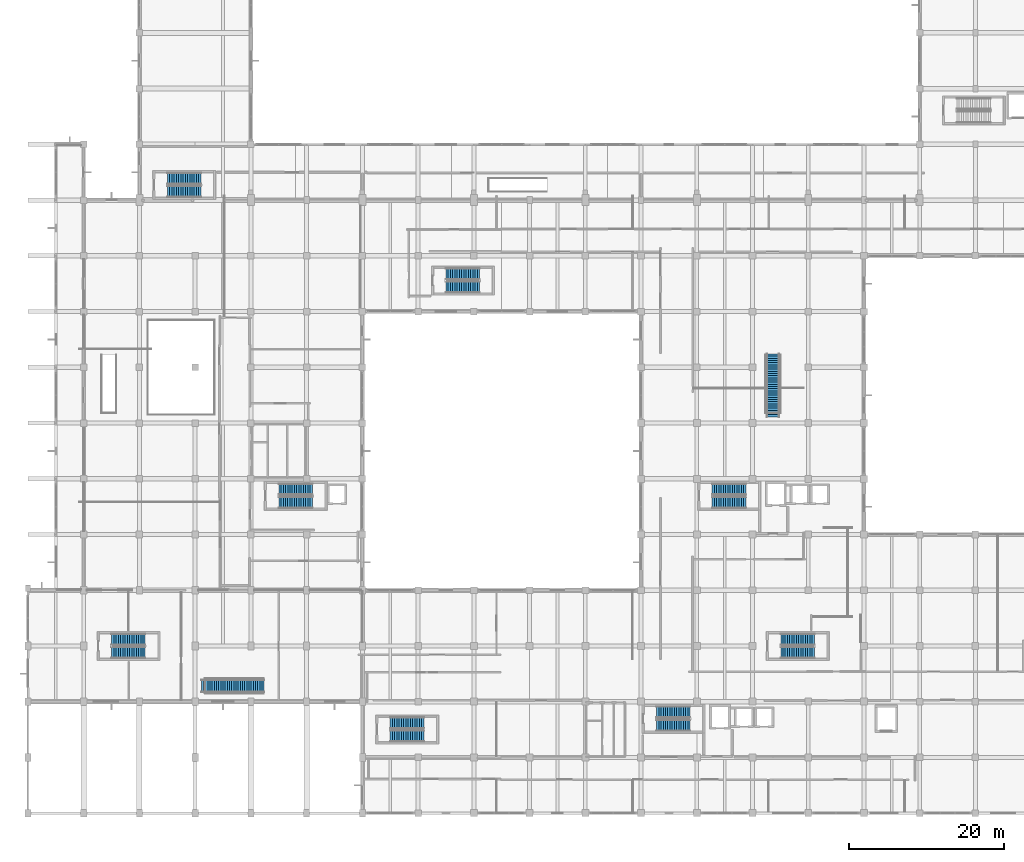
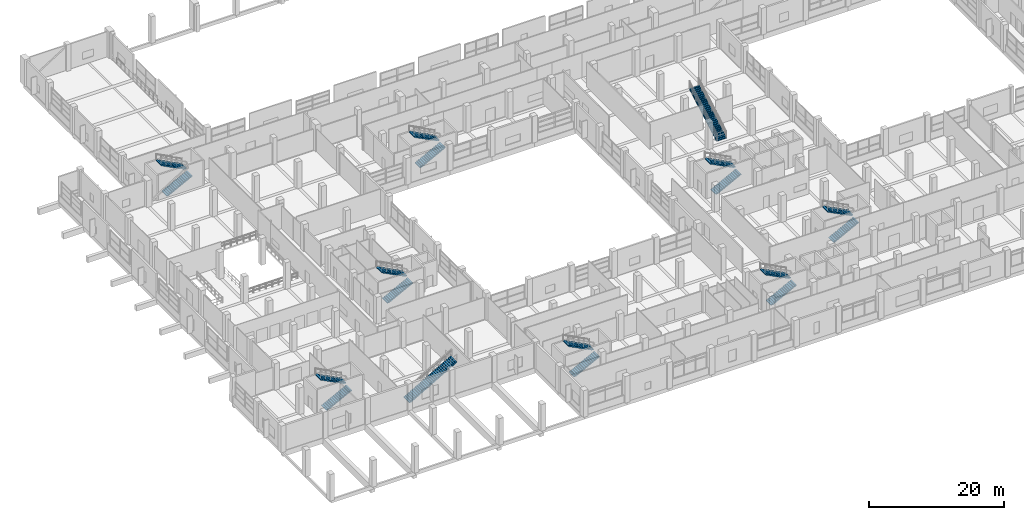
# One storey, part 168 of 181: 18 stair flights, 10 elements without a shape of their own.
"""IFC4 building model written with IfcOpenShell, lengths in metres."""

import ifcopenshell
import ifcopenshell.guid

model = None  # the IFC model being written
_history = None  # IfcOwnerHistory: only IFC2X3 demands one
_inside = {}  # id of a spatial element -> (the spatial element, [elements in it])
_under = {}  # id of a project, library or spatial element -> (it, [spatial elements below it])
_declared = {}  # id of a project -> (the project, [libraries it declares])
_typed = {}  # id of a type object -> (the type object, [elements of that type])
_made_of = {}  # id of a material, layer set ... -> (it, [elements and type objects made of it])


def new_model(schema):
    """Start an empty IFC model of exactly this schema.

    Asked for "IFC4X3", IfcOpenShell would pick the latest addendum, in which some entities
    have other attributes; the version numbers below select the first issue.
    IFC2X3 requires an IfcOwnerHistory on every rooted entity: one is made here for all.
    """
    global model, _history
    if schema == "IFC4X3":
        model = ifcopenshell.file(schema_version=(4, 3, 0, 0))
    else:
        model = ifcopenshell.file(schema=schema)
    _inside.clear()
    _under.clear()
    _declared.clear()
    _typed.clear()
    _made_of.clear()
    _history = None
    if model.schema == "IFC2X3":
        org = make("IfcOrganization", Name="unknown")
        user = make(
            "IfcPersonAndOrganization",
            ThePerson=make("IfcPerson", FamilyName="unknown"),
            TheOrganization=org,
        )
        app = make(
            "IfcApplication",
            ApplicationDeveloper=org,
            Version="unknown",
            ApplicationFullName="unknown",
            ApplicationIdentifier="unknown",
        )
        _history = make(
            "IfcOwnerHistory",
            OwningUser=user,
            OwningApplication=app,
            ChangeAction="ADDED",
            CreationDate=0,
        )
    return model


def make(cls, **values):
    """One entity of the class cls with the attributes given. An attribute that is None is left unset."""
    return model.create_entity(
        cls, **{name: value for name, value in values.items() if value is not None}
    )


def rooted(cls, **values):
    """An entity with a GlobalId (a new one), such as an element, a storey or a relation."""
    return make(cls, GlobalId=ifcopenshell.guid.new(), OwnerHistory=_history, **values)


def si_unit(unit_type, name, prefix=None):
    """IfcSIUnit, for example si_unit("LENGTHUNIT", "METRE", prefix="MILLI")."""
    return make("IfcSIUnit", UnitType=unit_type, Prefix=prefix, Name=name)


def assignment(units):
    """IfcUnitAssignment: the units of a project."""
    return None if units is None else make("IfcUnitAssignment", Units=units)


def point(xyz):
    """IfcCartesianPoint."""
    return None if xyz is None else make("IfcCartesianPoint", Coordinates=xyz)


def direction(xyz):
    """IfcDirection."""
    return None if xyz is None else make("IfcDirection", DirectionRatios=xyz)


def frame(location, z_axis=None, x_axis=None):
    """IfcAxis2Placement3D, a coordinate frame: its origin and axes. An axis left out is left unset."""
    return make(
        "IfcAxis2Placement3D",
        Location=point(location),
        Axis=direction(z_axis),
        RefDirection=direction(x_axis),
    )


def origin():
    """The frame at (0, 0, 0) with its axes left unset."""
    return frame((0.0, 0.0, 0.0))


def place(relative_to, where):
    """IfcLocalPlacement: puts the frame where relative to a parent placement (None: the world)."""
    return make(
        "IfcLocalPlacement", PlacementRelTo=relative_to, RelativePlacement=where
    )


def context(
    kind, dimensions, precision=None, world=None, true_north=None, identifier=None
):
    """IfcGeometricRepresentationContext, for example the 3D "Model" context."""
    return make(
        "IfcGeometricRepresentationContext",
        ContextIdentifier=identifier,
        ContextType=kind,
        CoordinateSpaceDimension=dimensions,
        Precision=precision,
        WorldCoordinateSystem=world,
        TrueNorth=true_north,
    )


def subcontext(parent, identifier, kind, view, scale=None):
    """IfcGeometricRepresentationSubContext, for example "Body" below "Model"."""
    return make(
        "IfcGeometricRepresentationSubContext",
        ContextIdentifier=identifier,
        ContextType=kind,
        ParentContext=parent,
        TargetScale=scale,
        TargetView=view,
    )


def project(units=None, contexts=None):
    """IfcProject with its units and contexts."""
    return rooted(
        "IfcProject",
        Name="project",
        RepresentationContexts=contexts,
        UnitsInContext=assignment(units),
    )


def spatial(cls, under=None, at=None, **own):
    """A site, building, storey or space (cls), placed at a placement, below another one or the project."""
    s = rooted(cls, ObjectPlacement=at, **own)
    if under is not None:
        _under.setdefault(under.id(), (under, []))[1].append(s)
    return s


def polyline(points):
    """IfcPolyline through the points."""
    return make("IfcPolyline", Points=[point(p) for p in points])


def outline(outer, holes=None, kind="AREA"):
    """IfcArbitraryClosedProfileDef: a profile drawn as a closed curve; with holes, ...WithVoids."""
    if holes is None:
        return make("IfcArbitraryClosedProfileDef", ProfileType=kind, OuterCurve=outer)
    return make(
        "IfcArbitraryProfileDefWithVoids",
        ProfileType=kind,
        OuterCurve=outer,
        InnerCurves=holes,
    )


def extrude(swept, where, along, depth):
    """IfcExtrudedAreaSolid: the profile swept, set in the frame where, extruded along a direction by depth."""
    return make(
        "IfcExtrudedAreaSolid",
        SweptArea=swept,
        Position=where,
        ExtrudedDirection=direction(along),
        Depth=depth,
    )


def shape(context_of_items, identifier, shape_type, items):
    """IfcShapeRepresentation: the items that make up one representation, for example the "Body"."""
    return make(
        "IfcShapeRepresentation",
        ContextOfItems=context_of_items,
        RepresentationIdentifier=identifier,
        RepresentationType=shape_type,
        Items=items,
    )


def material(Name=None, Category=None):
    """IfcMaterial."""
    return make("IfcMaterial", Name=Name, Category=Category)


def made_of(thing, what):
    """Note that an element or type object is made of a material, layer set ...; save() writes the relation."""
    if what is not None:
        _made_of.setdefault(what.id(), (what, []))[1].append(thing)
    return thing


def type_object(cls, material=None, **own):
    """A type object (cls), such as IfcWallType, which elements share."""
    return made_of(rooted(cls, **own), material)


def element(
    cls,
    number,
    at=None,
    inside=None,
    cuts=None,
    type_object=None,
    material=None,
    context=None,
    identifier="Body",
    shape_type=None,
    held_by="IfcProductDefinitionShape",
    body=None,
    shapes=None,
    **own,
):
    """One element of the class cls, such as IfcWall. Its Tag is "e" and its number.

    at: its placement. inside: the storey or other place that contains it. cuts: it is an
    opening in that element (IfcRelVoidsElement). A single representation is given by context,
    identifier, shape_type and body (its items); several are given by shapes. held_by: the class
    of the entity that holds the representations. save() writes the other relations.
    """
    e = rooted(cls, Tag="e%d" % number, ObjectPlacement=at, **own)
    if body is not None:
        shapes = [shape(context, identifier, shape_type, body)]
    if shapes is not None:
        e.Representation = make(held_by, Representations=shapes)
    if inside is not None:
        _inside.setdefault(inside.id(), (inside, []))[1].append(e)
    if cuts is not None:
        rooted(
            "IfcRelVoidsElement", RelatingBuildingElement=cuts, RelatedOpeningElement=e
        )
    if type_object is not None:
        _typed.setdefault(type_object.id(), (type_object, []))[1].append(e)
    return made_of(e, material)


def aggregate(whole, parts):
    """IfcRelAggregates: a whole, such as a stair, and the parts it consists of."""
    return rooted("IfcRelAggregates", RelatingObject=whole, RelatedObjects=parts)


def save(model, path):
    """Write the relations noted so far, then the file.

    IfcRelAggregates (storeys below a building ...), IfcRelContainedInSpatialStructure (elements
    in a storey), IfcRelDefinesByType, IfcRelAssociatesMaterial and IfcRelDeclares: one each for
    every whole, place, type object, material and project.
    """
    for whole, parts in _under.values():
        aggregate(whole, parts)
    for where, things in _inside.values():
        rooted(
            "IfcRelContainedInSpatialStructure",
            RelatedElements=things,
            RelatingStructure=where,
        )
    for kind, things in _typed.values():
        rooted("IfcRelDefinesByType", RelatedObjects=things, RelatingType=kind)
    for what, things in _made_of.values():
        rooted("IfcRelAssociatesMaterial", RelatedObjects=things, RelatingMaterial=what)
    for by, libraries in _declared.values():
        rooted("IfcRelDeclares", RelatingContext=by, RelatedDefinitions=libraries)
    model.write(path)


model = new_model("IFC4")

# Units and contexts
model_context = context("Model", 3, precision=1e-05, world=origin(), true_north=direction((0.0, 1.0)))
body_context = subcontext(model_context, "Body", "Model", "MODEL_VIEW")
ifc_project = project(units=[si_unit("LENGTHUNIT", "METRE"), si_unit("AREAUNIT", "SQUARE_METRE"), si_unit("VOLUMEUNIT", "CUBIC_METRE"), si_unit("PLANEANGLEUNIT", "RADIAN"), si_unit("MASSUNIT", "GRAM", prefix="KILO")], contexts=[model_context])

# Site, building, storey
site_placement = place(None, origin())
site = spatial("IfcSite", under=ifc_project, at=site_placement, CompositionType="ELEMENT")
building_placement = place(site_placement, origin())
building = spatial("IfcBuilding", under=site, at=building_placement, Name="Seraya Terrace Polytechnic", CompositionType="ELEMENT")
storey_placement = place(building_placement, frame((0.0, 0.0, 4.800048828125)))
storey = spatial("IfcBuildingStorey", under=building, at=storey_placement, Name="L01", CompositionType="ELEMENT", Elevation=4.800048828125)

# Stair, stair flights
ifc_material = material(Name="Concrete C40/50", Category="concrete")
stair_type_1 = type_object("IfcStairType", Name="ST-T1", PredefinedType="HALF_TURN_STAIR", material=ifc_material)
stair_1_placement = place(storey_placement, origin())
stair_1 = element("IfcStair", 1, at=stair_1_placement, inside=storey, type_object=stair_type_1, Name="L01 Protected exit stair ST-01", PredefinedType="HALF_TURN_STAIR")
stair_flight_type_1 = type_object("IfcStairFlightType", Name="SF-01", PredefinedType="STRAIGHT", material=ifc_material)
stair_flight_1_placement = place(storey_placement, frame((81.199951171875, 11.35009765625, 0.0), z_axis=(0.0, 0.0, 1.0), x_axis=(1.0, 0.0, 0.0)))
stair_flight_1 = element("IfcStairFlight", 2, at=stair_flight_1_placement, type_object=stair_flight_type_1, Name="ST-01 flight 1", NumberOfRisers=16, NumberOfTreads=15, PredefinedType="STRAIGHT", RiserHeight=0.15, TreadLength=0.29, context=body_context, shape_type="SweptSolid", body=[
    extrude(outline(polyline([(0.0, 0.0), (0.0, 0.14990234375), (0.2900390625, 0.14990234375), (0.2900390625, 0.300048828125), (0.580078125, 0.300048828125), (0.580078125, 0.449951171875), (0.8701171875, 0.449951171875), (0.8701171875, 0.60009765625), (1.159912109375, 0.60009765625), (1.159912109375, 0.75), (1.449951171875, 0.75), (1.449951171875, 0.89990234375), (1.739990234375, 0.89990234375), (1.739990234375, 1.050048828125), (2.030029296875, 1.050048828125), (2.030029296875, 1.199951171875), (2.320068359375, 1.199951171875), (2.320068359375, 1.35009765625), (2.610107421875, 1.35009765625), (2.610107421875, 1.5), (2.89990234375, 1.5), (2.89990234375, 1.64990234375), (3.18994140625, 1.64990234375), (3.18994140625, 1.800048828125), (3.47998046875, 1.800048828125), (3.47998046875, 1.949951171875), (3.77001953125, 1.949951171875), (3.77001953125, 2.10009765625), (4.06005859375, 2.10009765625), (4.06005859375, 2.25), (4.35009765625, 2.25), (4.35009765625, 2.39990234375), (4.35009765625, 2.070068359375), (0.34814453125, 0.0), (0.0, 0.0)])), frame((0.0, 0.75, 0.0), z_axis=(0.0, -1.0, 0.0), x_axis=(1.0, 0.0, 0.0)), (0.0, 0.0, 1.0), 1.5),
])
stair_flight_2_placement = place(storey_placement, frame((85.550048828125, 13.050048828125, 2.39990234375), z_axis=(0.0, 0.0, 1.0), x_axis=(-1.0, 0.0, 0.0)))
stair_flight_2 = element("IfcStairFlight", 3, at=stair_flight_2_placement, type_object=stair_flight_type_1, Name="ST-01 flight 2", NumberOfRisers=16, NumberOfTreads=15, PredefinedType="STRAIGHT", RiserHeight=0.15, TreadLength=0.29, context=body_context, shape_type="SweptSolid", body=[
    extrude(outline(polyline([(0.0, 0.0), (0.0, 0.14990234375), (0.2900390625, 0.14990234375), (0.2900390625, 0.300048828125), (0.580078125, 0.300048828125), (0.580078125, 0.449951171875), (0.8701171875, 0.449951171875), (0.8701171875, 0.60009765625), (1.159912109375, 0.60009765625), (1.159912109375, 0.75), (1.449951171875, 0.75), (1.449951171875, 0.89990234375), (1.739990234375, 0.89990234375), (1.739990234375, 1.050048828125), (2.030029296875, 1.050048828125), (2.030029296875, 1.199951171875), (2.320068359375, 1.199951171875), (2.320068359375, 1.35009765625), (2.610107421875, 1.35009765625), (2.610107421875, 1.5), (2.89990234375, 1.5), (2.89990234375, 1.64990234375), (3.18994140625, 1.64990234375), (3.18994140625, 1.800048828125), (3.47998046875, 1.800048828125), (3.47998046875, 1.949951171875), (3.77001953125, 1.949951171875), (3.77001953125, 2.10009765625), (4.06005859375, 2.10009765625), (4.06005859375, 2.25), (4.35009765625, 2.25), (4.35009765625, 2.39990234375), (4.35009765625, 2.070068359375), (0.34814453125, 0.0), (0.0, 0.0)])), frame((0.0, 0.75, 0.0), z_axis=(0.0, -1.0, 0.0), x_axis=(1.0, 0.0, 0.0)), (0.0, 0.0, 1.0), 1.5),
])
aggregate(stair_1, [stair_flight_1, stair_flight_2])

stair_2_placement = place(storey_placement, origin())
stair_2 = element("IfcStair", 4, at=stair_2_placement, inside=storey, type_object=stair_type_1, Name="L01 Protected exit stair ST-02", PredefinedType="HALF_TURN_STAIR")
stair_flight_3_placement = place(storey_placement, frame((88.39990234375, 40.14990234375, 0.0), z_axis=(0.0, 0.0, 1.0), x_axis=(1.0, 0.0, 0.0)))
stair_flight_3 = element("IfcStairFlight", 5, at=stair_flight_3_placement, type_object=stair_flight_type_1, Name="ST-02 flight 1", NumberOfRisers=16, NumberOfTreads=15, PredefinedType="STRAIGHT", RiserHeight=0.15, TreadLength=0.29, context=body_context, shape_type="SweptSolid", body=[
    extrude(outline(polyline([(0.0, 0.0), (0.0, 0.14990234375), (0.2900390625, 0.14990234375), (0.2900390625, 0.300048828125), (0.580078125, 0.300048828125), (0.580078125, 0.449951171875), (0.8701171875, 0.449951171875), (0.8701171875, 0.60009765625), (1.159912109375, 0.60009765625), (1.159912109375, 0.75), (1.449951171875, 0.75), (1.449951171875, 0.89990234375), (1.739990234375, 0.89990234375), (1.739990234375, 1.050048828125), (2.030029296875, 1.050048828125), (2.030029296875, 1.199951171875), (2.320068359375, 1.199951171875), (2.320068359375, 1.35009765625), (2.610107421875, 1.35009765625), (2.610107421875, 1.5), (2.89990234375, 1.5), (2.89990234375, 1.64990234375), (3.18994140625, 1.64990234375), (3.18994140625, 1.800048828125), (3.47998046875, 1.800048828125), (3.47998046875, 1.949951171875), (3.77001953125, 1.949951171875), (3.77001953125, 2.10009765625), (4.06005859375, 2.10009765625), (4.06005859375, 2.25), (4.35009765625, 2.25), (4.35009765625, 2.39990234375), (4.35009765625, 2.070068359375), (0.34814453125, 0.0), (0.0, 0.0)])), frame((0.0, 0.75, 0.0), z_axis=(0.0, -1.0, 0.0), x_axis=(1.0, 0.0, 0.0)), (0.0, 0.0, 1.0), 1.5),
])
stair_flight_4_placement = place(storey_placement, frame((92.75, 41.85009765625, 2.39990234375), z_axis=(0.0, 0.0, 1.0), x_axis=(-1.0, 0.0, 0.0)))
stair_flight_4 = element("IfcStairFlight", 6, at=stair_flight_4_placement, type_object=stair_flight_type_1, Name="ST-02 flight 2", NumberOfRisers=16, NumberOfTreads=15, PredefinedType="STRAIGHT", RiserHeight=0.15, TreadLength=0.29, context=body_context, shape_type="SweptSolid", body=[
    extrude(outline(polyline([(0.0, 0.0), (0.0, 0.14990234375), (0.2900390625, 0.14990234375), (0.2900390625, 0.300048828125), (0.580078125, 0.300048828125), (0.580078125, 0.449951171875), (0.8701171875, 0.449951171875), (0.8701171875, 0.60009765625), (1.159912109375, 0.60009765625), (1.159912109375, 0.75), (1.449951171875, 0.75), (1.449951171875, 0.89990234375), (1.739990234375, 0.89990234375), (1.739990234375, 1.050048828125), (2.030029296875, 1.050048828125), (2.030029296875, 1.199951171875), (2.320068359375, 1.199951171875), (2.320068359375, 1.35009765625), (2.610107421875, 1.35009765625), (2.610107421875, 1.5), (2.89990234375, 1.5), (2.89990234375, 1.64990234375), (3.18994140625, 1.64990234375), (3.18994140625, 1.800048828125), (3.47998046875, 1.800048828125), (3.47998046875, 1.949951171875), (3.77001953125, 1.949951171875), (3.77001953125, 2.10009765625), (4.06005859375, 2.10009765625), (4.06005859375, 2.25), (4.35009765625, 2.25), (4.35009765625, 2.39990234375), (4.35009765625, 2.070068359375), (0.34814453125, 0.0), (0.0, 0.0)])), frame((0.0, 0.75, 0.0), z_axis=(0.0, -1.0, 0.0), x_axis=(1.0, 0.0, 0.0)), (0.0, 0.0, 1.0), 1.5),
])
aggregate(stair_2, [stair_flight_3, stair_flight_4])

stair_3_placement = place(storey_placement, origin())
stair_3 = element("IfcStair", 7, at=stair_3_placement, inside=storey, type_object=stair_type_1, Name="L01 Protected exit stair ST-03", PredefinedType="HALF_TURN_STAIR")
stair_flight_5_placement = place(storey_placement, frame((46.800048828125, 9.949951171875, 0.0), z_axis=(0.0, 0.0, 1.0), x_axis=(1.0, 0.0, 0.0)))
stair_flight_5 = element("IfcStairFlight", 8, at=stair_flight_5_placement, type_object=stair_flight_type_1, Name="ST-03 flight 1", NumberOfRisers=16, NumberOfTreads=15, PredefinedType="STRAIGHT", RiserHeight=0.15, TreadLength=0.29, context=body_context, shape_type="SweptSolid", body=[
    extrude(outline(polyline([(0.0, 0.0), (0.0, 0.14990234375), (0.2900390625, 0.14990234375), (0.2900390625, 0.300048828125), (0.580078125, 0.300048828125), (0.580078125, 0.449951171875), (0.8701171875, 0.449951171875), (0.8701171875, 0.60009765625), (1.159912109375, 0.60009765625), (1.159912109375, 0.75), (1.449951171875, 0.75), (1.449951171875, 0.89990234375), (1.739990234375, 0.89990234375), (1.739990234375, 1.050048828125), (2.030029296875, 1.050048828125), (2.030029296875, 1.199951171875), (2.320068359375, 1.199951171875), (2.320068359375, 1.35009765625), (2.610107421875, 1.35009765625), (2.610107421875, 1.5), (2.89990234375, 1.5), (2.89990234375, 1.64990234375), (3.18994140625, 1.64990234375), (3.18994140625, 1.800048828125), (3.47998046875, 1.800048828125), (3.47998046875, 1.949951171875), (3.77001953125, 1.949951171875), (3.77001953125, 2.10009765625), (4.06005859375, 2.10009765625), (4.06005859375, 2.25), (4.35009765625, 2.25), (4.35009765625, 2.39990234375), (4.35009765625, 2.070068359375), (0.34814453125, 0.0), (0.0, 0.0)])), frame((0.0, 0.75, 0.0), z_axis=(0.0, -1.0, 0.0), x_axis=(1.0, 0.0, 0.0)), (0.0, 0.0, 1.0), 1.5),
])
stair_flight_6_placement = place(storey_placement, frame((51.14990234375, 11.64990234375, 2.39990234375), z_axis=(0.0, 0.0, 1.0), x_axis=(-1.0, 0.0, 0.0)))
stair_flight_6 = element("IfcStairFlight", 9, at=stair_flight_6_placement, type_object=stair_flight_type_1, Name="ST-03 flight 2", NumberOfRisers=16, NumberOfTreads=15, PredefinedType="STRAIGHT", RiserHeight=0.15, TreadLength=0.29, context=body_context, shape_type="SweptSolid", body=[
    extrude(outline(polyline([(0.0, 0.0), (0.0, 0.14990234375), (0.2900390625, 0.14990234375), (0.2900390625, 0.300048828125), (0.580078125, 0.300048828125), (0.580078125, 0.449951171875), (0.8701171875, 0.449951171875), (0.8701171875, 0.60009765625), (1.159912109375, 0.60009765625), (1.159912109375, 0.75), (1.449951171875, 0.75), (1.449951171875, 0.89990234375), (1.739990234375, 0.89990234375), (1.739990234375, 1.050048828125), (2.030029296875, 1.050048828125), (2.030029296875, 1.199951171875), (2.320068359375, 1.199951171875), (2.320068359375, 1.35009765625), (2.610107421875, 1.35009765625), (2.610107421875, 1.5), (2.89990234375, 1.5), (2.89990234375, 1.64990234375), (3.18994140625, 1.64990234375), (3.18994140625, 1.800048828125), (3.47998046875, 1.800048828125), (3.47998046875, 1.949951171875), (3.77001953125, 1.949951171875), (3.77001953125, 2.10009765625), (4.06005859375, 2.10009765625), (4.06005859375, 2.25), (4.35009765625, 2.25), (4.35009765625, 2.39990234375), (4.35009765625, 2.070068359375), (0.34814453125, 0.0), (0.0, 0.0)])), frame((0.0, 0.75, 0.0), z_axis=(0.0, -1.0, 0.0), x_axis=(1.0, 0.0, 0.0)), (0.0, 0.0, 1.0), 1.5),
])
aggregate(stair_3, [stair_flight_5, stair_flight_6])

stair_4_placement = place(storey_placement, origin())
stair_4 = element("IfcStair", 10, at=stair_4_placement, inside=storey, type_object=stair_type_1, Name="L01 Protected exit stair ST-04", PredefinedType="HALF_TURN_STAIR")
stair_flight_7_placement = place(storey_placement, frame((32.39990234375, 40.14990234375, 0.0), z_axis=(0.0, 0.0, 1.0), x_axis=(1.0, 0.0, 0.0)))
stair_flight_7 = element("IfcStairFlight", 11, at=stair_flight_7_placement, type_object=stair_flight_type_1, Name="ST-04 flight 1", NumberOfRisers=16, NumberOfTreads=15, PredefinedType="STRAIGHT", RiserHeight=0.15, TreadLength=0.29, context=body_context, shape_type="SweptSolid", body=[
    extrude(outline(polyline([(0.0, 0.0), (0.0, 0.14990234375), (0.2900390625, 0.14990234375), (0.2900390625, 0.300048828125), (0.580078125, 0.300048828125), (0.580078125, 0.449951171875), (0.8701171875, 0.449951171875), (0.8701171875, 0.60009765625), (1.159912109375, 0.60009765625), (1.159912109375, 0.75), (1.449951171875, 0.75), (1.449951171875, 0.89990234375), (1.739990234375, 0.89990234375), (1.739990234375, 1.050048828125), (2.030029296875, 1.050048828125), (2.030029296875, 1.199951171875), (2.320068359375, 1.199951171875), (2.320068359375, 1.35009765625), (2.610107421875, 1.35009765625), (2.610107421875, 1.5), (2.89990234375, 1.5), (2.89990234375, 1.64990234375), (3.18994140625, 1.64990234375), (3.18994140625, 1.800048828125), (3.47998046875, 1.800048828125), (3.47998046875, 1.949951171875), (3.77001953125, 1.949951171875), (3.77001953125, 2.10009765625), (4.06005859375, 2.10009765625), (4.06005859375, 2.25), (4.35009765625, 2.25), (4.35009765625, 2.39990234375), (4.35009765625, 2.070068359375), (0.34814453125, 0.0), (0.0, 0.0)])), frame((0.0, 0.75, 0.0), z_axis=(0.0, -1.0, 0.0), x_axis=(1.0, 0.0, 0.0)), (0.0, 0.0, 1.0), 1.5),
])
stair_flight_8_placement = place(storey_placement, frame((36.75, 41.85009765625, 2.39990234375), z_axis=(0.0, 0.0, 1.0), x_axis=(-1.0, 0.0, 0.0)))
stair_flight_8 = element("IfcStairFlight", 12, at=stair_flight_8_placement, type_object=stair_flight_type_1, Name="ST-04 flight 2", NumberOfRisers=16, NumberOfTreads=15, PredefinedType="STRAIGHT", RiserHeight=0.15, TreadLength=0.29, context=body_context, shape_type="SweptSolid", body=[
    extrude(outline(polyline([(0.0, 0.0), (0.0, 0.14990234375), (0.2900390625, 0.14990234375), (0.2900390625, 0.300048828125), (0.580078125, 0.300048828125), (0.580078125, 0.449951171875), (0.8701171875, 0.449951171875), (0.8701171875, 0.60009765625), (1.159912109375, 0.60009765625), (1.159912109375, 0.75), (1.449951171875, 0.75), (1.449951171875, 0.89990234375), (1.739990234375, 0.89990234375), (1.739990234375, 1.050048828125), (2.030029296875, 1.050048828125), (2.030029296875, 1.199951171875), (2.320068359375, 1.199951171875), (2.320068359375, 1.35009765625), (2.610107421875, 1.35009765625), (2.610107421875, 1.5), (2.89990234375, 1.5), (2.89990234375, 1.64990234375), (3.18994140625, 1.64990234375), (3.18994140625, 1.800048828125), (3.47998046875, 1.800048828125), (3.47998046875, 1.949951171875), (3.77001953125, 1.949951171875), (3.77001953125, 2.10009765625), (4.06005859375, 2.10009765625), (4.06005859375, 2.25), (4.35009765625, 2.25), (4.35009765625, 2.39990234375), (4.35009765625, 2.070068359375), (0.34814453125, 0.0), (0.0, 0.0)])), frame((0.0, 0.75, 0.0), z_axis=(0.0, -1.0, 0.0), x_axis=(1.0, 0.0, 0.0)), (0.0, 0.0, 1.0), 1.5),
])
aggregate(stair_4, [stair_flight_7, stair_flight_8])

stair_5_placement = place(storey_placement, origin())
stair_5 = element("IfcStair", 13, at=stair_5_placement, inside=storey, type_object=stair_type_1, Name="L01 Protected exit stair ST-05", PredefinedType="HALF_TURN_STAIR")
stair_flight_9_placement = place(storey_placement, frame((97.25, 20.75, 0.0), z_axis=(0.0, 0.0, 1.0), x_axis=(1.0, 0.0, 0.0)))
stair_flight_9 = element("IfcStairFlight", 14, at=stair_flight_9_placement, type_object=stair_flight_type_1, Name="ST-05 flight 1", NumberOfRisers=16, NumberOfTreads=15, PredefinedType="STRAIGHT", RiserHeight=0.15, TreadLength=0.29, context=body_context, shape_type="SweptSolid", body=[
    extrude(outline(polyline([(0.0, 0.0), (0.0, 0.14990234375), (0.2900390625, 0.14990234375), (0.2900390625, 0.300048828125), (0.580078125, 0.300048828125), (0.580078125, 0.449951171875), (0.8701171875, 0.449951171875), (0.8701171875, 0.60009765625), (1.159912109375, 0.60009765625), (1.159912109375, 0.75), (1.449951171875, 0.75), (1.449951171875, 0.89990234375), (1.739990234375, 0.89990234375), (1.739990234375, 1.050048828125), (2.030029296875, 1.050048828125), (2.030029296875, 1.199951171875), (2.320068359375, 1.199951171875), (2.320068359375, 1.35009765625), (2.610107421875, 1.35009765625), (2.610107421875, 1.5), (2.89990234375, 1.5), (2.89990234375, 1.64990234375), (3.18994140625, 1.64990234375), (3.18994140625, 1.800048828125), (3.47998046875, 1.800048828125), (3.47998046875, 1.949951171875), (3.77001953125, 1.949951171875), (3.77001953125, 2.10009765625), (4.06005859375, 2.10009765625), (4.06005859375, 2.25), (4.35009765625, 2.25), (4.35009765625, 2.39990234375), (4.35009765625, 2.070068359375), (0.34814453125, 0.0), (0.0, 0.0)])), frame((0.0, 0.75, 0.0), z_axis=(0.0, -1.0, 0.0), x_axis=(1.0, 0.0, 0.0)), (0.0, 0.0, 1.0), 1.5),
])
stair_flight_10_placement = place(storey_placement, frame((101.60009765625, 22.449951171875, 2.39990234375), z_axis=(0.0, 0.0, 1.0), x_axis=(-1.0, 0.0, 0.0)))
stair_flight_10 = element("IfcStairFlight", 15, at=stair_flight_10_placement, type_object=stair_flight_type_1, Name="ST-05 flight 2", NumberOfRisers=16, NumberOfTreads=15, PredefinedType="STRAIGHT", RiserHeight=0.15, TreadLength=0.29, context=body_context, shape_type="SweptSolid", body=[
    extrude(outline(polyline([(0.0, 0.0), (0.0, 0.14990234375), (0.2900390625, 0.14990234375), (0.2900390625, 0.300048828125), (0.580078125, 0.300048828125), (0.580078125, 0.449951171875), (0.8701171875, 0.449951171875), (0.8701171875, 0.60009765625), (1.159912109375, 0.60009765625), (1.159912109375, 0.75), (1.449951171875, 0.75), (1.449951171875, 0.89990234375), (1.739990234375, 0.89990234375), (1.739990234375, 1.050048828125), (2.030029296875, 1.050048828125), (2.030029296875, 1.199951171875), (2.320068359375, 1.199951171875), (2.320068359375, 1.35009765625), (2.610107421875, 1.35009765625), (2.610107421875, 1.5), (2.89990234375, 1.5), (2.89990234375, 1.64990234375), (3.18994140625, 1.64990234375), (3.18994140625, 1.800048828125), (3.47998046875, 1.800048828125), (3.47998046875, 1.949951171875), (3.77001953125, 1.949951171875), (3.77001953125, 2.10009765625), (4.06005859375, 2.10009765625), (4.06005859375, 2.25), (4.35009765625, 2.25), (4.35009765625, 2.39990234375), (4.35009765625, 2.070068359375), (0.34814453125, 0.0), (0.0, 0.0)])), frame((0.0, 0.75, 0.0), z_axis=(0.0, -1.0, 0.0), x_axis=(1.0, 0.0, 0.0)), (0.0, 0.0, 1.0), 1.5),
])
aggregate(stair_5, [stair_flight_9, stair_flight_10])

stair_6_placement = place(storey_placement, origin())
stair_6 = element("IfcStair", 16, at=stair_6_placement, inside=storey, type_object=stair_type_1, Name="L01 Protected exit stair ST-06", PredefinedType="HALF_TURN_STAIR")
stair_flight_11_placement = place(storey_placement, frame((54.0, 67.949951171875, 0.0), z_axis=(0.0, 0.0, 1.0), x_axis=(1.0, 0.0, 0.0)))
stair_flight_11 = element("IfcStairFlight", 17, at=stair_flight_11_placement, type_object=stair_flight_type_1, Name="ST-06 flight 1", NumberOfRisers=16, NumberOfTreads=15, PredefinedType="STRAIGHT", RiserHeight=0.15, TreadLength=0.29, context=body_context, shape_type="SweptSolid", body=[
    extrude(outline(polyline([(0.0, 0.0), (0.0, 0.14990234375), (0.2900390625, 0.14990234375), (0.2900390625, 0.300048828125), (0.580078125, 0.300048828125), (0.580078125, 0.449951171875), (0.8701171875, 0.449951171875), (0.8701171875, 0.60009765625), (1.159912109375, 0.60009765625), (1.159912109375, 0.75), (1.449951171875, 0.75), (1.449951171875, 0.89990234375), (1.739990234375, 0.89990234375), (1.739990234375, 1.050048828125), (2.030029296875, 1.050048828125), (2.030029296875, 1.199951171875), (2.320068359375, 1.199951171875), (2.320068359375, 1.35009765625), (2.610107421875, 1.35009765625), (2.610107421875, 1.5), (2.89990234375, 1.5), (2.89990234375, 1.64990234375), (3.18994140625, 1.64990234375), (3.18994140625, 1.800048828125), (3.47998046875, 1.800048828125), (3.47998046875, 1.949951171875), (3.77001953125, 1.949951171875), (3.77001953125, 2.10009765625), (4.06005859375, 2.10009765625), (4.06005859375, 2.25), (4.35009765625, 2.25), (4.35009765625, 2.39990234375), (4.35009765625, 2.070068359375), (0.34814453125, 0.0), (0.0, 0.0)])), frame((0.0, 0.75, 0.0), z_axis=(0.0, -1.0, 0.0), x_axis=(1.0, 0.0, 0.0)), (0.0, 0.0, 1.0), 1.5),
])
stair_flight_12_placement = place(storey_placement, frame((58.35009765625, 69.64990234375, 2.39990234375), z_axis=(0.0, 0.0, 1.0), x_axis=(-1.0, 0.0, 0.0)))
stair_flight_12 = element("IfcStairFlight", 18, at=stair_flight_12_placement, type_object=stair_flight_type_1, Name="ST-06 flight 2", NumberOfRisers=16, NumberOfTreads=15, PredefinedType="STRAIGHT", RiserHeight=0.15, TreadLength=0.29, context=body_context, shape_type="SweptSolid", body=[
    extrude(outline(polyline([(0.0, 0.0), (0.0, 0.14990234375), (0.2900390625, 0.14990234375), (0.2900390625, 0.300048828125), (0.580078125, 0.300048828125), (0.580078125, 0.449951171875), (0.8701171875, 0.449951171875), (0.8701171875, 0.60009765625), (1.159912109375, 0.60009765625), (1.159912109375, 0.75), (1.449951171875, 0.75), (1.449951171875, 0.89990234375), (1.739990234375, 0.89990234375), (1.739990234375, 1.050048828125), (2.030029296875, 1.050048828125), (2.030029296875, 1.199951171875), (2.320068359375, 1.199951171875), (2.320068359375, 1.35009765625), (2.610107421875, 1.35009765625), (2.610107421875, 1.5), (2.89990234375, 1.5), (2.89990234375, 1.64990234375), (3.18994140625, 1.64990234375), (3.18994140625, 1.800048828125), (3.47998046875, 1.800048828125), (3.47998046875, 1.949951171875), (3.77001953125, 1.949951171875), (3.77001953125, 2.10009765625), (4.06005859375, 2.10009765625), (4.06005859375, 2.25), (4.35009765625, 2.25), (4.35009765625, 2.39990234375), (4.35009765625, 2.070068359375), (0.34814453125, 0.0), (0.0, 0.0)])), frame((0.0, 0.75, 0.0), z_axis=(0.0, -1.0, 0.0), x_axis=(1.0, 0.0, 0.0)), (0.0, 0.0, 1.0), 1.5),
])
aggregate(stair_6, [stair_flight_11, stair_flight_12])

stair_7_placement = place(storey_placement, origin())
stair_7 = element("IfcStair", 19, at=stair_7_placement, inside=storey, type_object=stair_type_1, Name="L01 Protected exit stair ST-07", PredefinedType="HALF_TURN_STAIR")
stair_flight_13_placement = place(storey_placement, frame((18.0, 80.300048828125, 0.0), z_axis=(0.0, 0.0, 1.0), x_axis=(1.0, 0.0, 0.0)))
stair_flight_13 = element("IfcStairFlight", 20, at=stair_flight_13_placement, type_object=stair_flight_type_1, Name="ST-07 flight 1", NumberOfRisers=16, NumberOfTreads=15, PredefinedType="STRAIGHT", RiserHeight=0.15, TreadLength=0.29, context=body_context, shape_type="SweptSolid", body=[
    extrude(outline(polyline([(0.0, 0.0), (0.0, 0.14990234375), (0.2900390625, 0.14990234375), (0.2900390625, 0.300048828125), (0.580078125, 0.300048828125), (0.580078125, 0.449951171875), (0.8701171875, 0.449951171875), (0.8701171875, 0.60009765625), (1.159912109375, 0.60009765625), (1.159912109375, 0.75), (1.449951171875, 0.75), (1.449951171875, 0.89990234375), (1.739990234375, 0.89990234375), (1.739990234375, 1.050048828125), (2.030029296875, 1.050048828125), (2.030029296875, 1.199951171875), (2.320068359375, 1.199951171875), (2.320068359375, 1.35009765625), (2.610107421875, 1.35009765625), (2.610107421875, 1.5), (2.89990234375, 1.5), (2.89990234375, 1.64990234375), (3.18994140625, 1.64990234375), (3.18994140625, 1.800048828125), (3.47998046875, 1.800048828125), (3.47998046875, 1.949951171875), (3.77001953125, 1.949951171875), (3.77001953125, 2.10009765625), (4.06005859375, 2.10009765625), (4.06005859375, 2.25), (4.35009765625, 2.25), (4.35009765625, 2.39990234375), (4.35009765625, 2.070068359375), (0.34814453125, 0.0), (0.0, 0.0)])), frame((0.0, 0.75, 0.0), z_axis=(0.0, -1.0, 0.0), x_axis=(1.0, 0.0, 0.0)), (0.0, 0.0, 1.0), 1.5),
])
stair_flight_14_placement = place(storey_placement, frame((22.35009765625, 82.0, 2.39990234375), z_axis=(0.0, 0.0, 1.0), x_axis=(-1.0, 0.0, 0.0)))
stair_flight_14 = element("IfcStairFlight", 21, at=stair_flight_14_placement, type_object=stair_flight_type_1, Name="ST-07 flight 2", NumberOfRisers=16, NumberOfTreads=15, PredefinedType="STRAIGHT", RiserHeight=0.15, TreadLength=0.29, context=body_context, shape_type="SweptSolid", body=[
    extrude(outline(polyline([(0.0, 0.0), (0.0, 0.14990234375), (0.2900390625, 0.14990234375), (0.2900390625, 0.300048828125), (0.580078125, 0.300048828125), (0.580078125, 0.449951171875), (0.8701171875, 0.449951171875), (0.8701171875, 0.60009765625), (1.159912109375, 0.60009765625), (1.159912109375, 0.75), (1.449951171875, 0.75), (1.449951171875, 0.89990234375), (1.739990234375, 0.89990234375), (1.739990234375, 1.050048828125), (2.030029296875, 1.050048828125), (2.030029296875, 1.199951171875), (2.320068359375, 1.199951171875), (2.320068359375, 1.35009765625), (2.610107421875, 1.35009765625), (2.610107421875, 1.5), (2.89990234375, 1.5), (2.89990234375, 1.64990234375), (3.18994140625, 1.64990234375), (3.18994140625, 1.800048828125), (3.47998046875, 1.800048828125), (3.47998046875, 1.949951171875), (3.77001953125, 1.949951171875), (3.77001953125, 2.10009765625), (4.06005859375, 2.10009765625), (4.06005859375, 2.25), (4.35009765625, 2.25), (4.35009765625, 2.39990234375), (4.35009765625, 2.070068359375), (0.34814453125, 0.0), (0.0, 0.0)])), frame((0.0, 0.75, 0.0), z_axis=(0.0, -1.0, 0.0), x_axis=(1.0, 0.0, 0.0)), (0.0, 0.0, 1.0), 1.5),
])
aggregate(stair_7, [stair_flight_13, stair_flight_14])

stair_8_placement = place(storey_placement, origin())
stair_8 = element("IfcStair", 22, at=stair_8_placement, inside=storey, type_object=stair_type_1, Name="L01 Protected exit stair ST-09", PredefinedType="HALF_TURN_STAIR")
stair_flight_15_placement = place(storey_placement, frame((10.800048828125, 20.75, 0.0), z_axis=(0.0, 0.0, 1.0), x_axis=(1.0, 0.0, 0.0)))
stair_flight_15 = element("IfcStairFlight", 23, at=stair_flight_15_placement, type_object=stair_flight_type_1, Name="ST-09 flight 1", NumberOfRisers=16, NumberOfTreads=15, PredefinedType="STRAIGHT", RiserHeight=0.15, TreadLength=0.29, context=body_context, shape_type="SweptSolid", body=[
    extrude(outline(polyline([(0.0, 0.0), (0.0, 0.14990234375), (0.2900390625, 0.14990234375), (0.2900390625, 0.300048828125), (0.580078125, 0.300048828125), (0.580078125, 0.449951171875), (0.8701171875, 0.449951171875), (0.8701171875, 0.60009765625), (1.159912109375, 0.60009765625), (1.159912109375, 0.75), (1.449951171875, 0.75), (1.449951171875, 0.89990234375), (1.739990234375, 0.89990234375), (1.739990234375, 1.050048828125), (2.030029296875, 1.050048828125), (2.030029296875, 1.199951171875), (2.320068359375, 1.199951171875), (2.320068359375, 1.35009765625), (2.610107421875, 1.35009765625), (2.610107421875, 1.5), (2.89990234375, 1.5), (2.89990234375, 1.64990234375), (3.18994140625, 1.64990234375), (3.18994140625, 1.800048828125), (3.47998046875, 1.800048828125), (3.47998046875, 1.949951171875), (3.77001953125, 1.949951171875), (3.77001953125, 2.10009765625), (4.06005859375, 2.10009765625), (4.06005859375, 2.25), (4.35009765625, 2.25), (4.35009765625, 2.39990234375), (4.35009765625, 2.070068359375), (0.34814453125, 0.0), (0.0, 0.0)])), frame((0.0, 0.75, 0.0), z_axis=(0.0, -1.0, 0.0), x_axis=(1.0, 0.0, 0.0)), (0.0, 0.0, 1.0), 1.5),
])
stair_flight_16_placement = place(storey_placement, frame((15.14990234375, 22.449951171875, 2.39990234375), z_axis=(0.0, 0.0, 1.0), x_axis=(-1.0, 0.0, 0.0)))
stair_flight_16 = element("IfcStairFlight", 24, at=stair_flight_16_placement, type_object=stair_flight_type_1, Name="ST-09 flight 2", NumberOfRisers=16, NumberOfTreads=15, PredefinedType="STRAIGHT", RiserHeight=0.15, TreadLength=0.29, context=body_context, shape_type="SweptSolid", body=[
    extrude(outline(polyline([(0.0, 0.0), (0.0, 0.14990234375), (0.2900390625, 0.14990234375), (0.2900390625, 0.300048828125), (0.580078125, 0.300048828125), (0.580078125, 0.449951171875), (0.8701171875, 0.449951171875), (0.8701171875, 0.60009765625), (1.159912109375, 0.60009765625), (1.159912109375, 0.75), (1.449951171875, 0.75), (1.449951171875, 0.89990234375), (1.739990234375, 0.89990234375), (1.739990234375, 1.050048828125), (2.030029296875, 1.050048828125), (2.030029296875, 1.199951171875), (2.320068359375, 1.199951171875), (2.320068359375, 1.35009765625), (2.610107421875, 1.35009765625), (2.610107421875, 1.5), (2.89990234375, 1.5), (2.89990234375, 1.64990234375), (3.18994140625, 1.64990234375), (3.18994140625, 1.800048828125), (3.47998046875, 1.800048828125), (3.47998046875, 1.949951171875), (3.77001953125, 1.949951171875), (3.77001953125, 2.10009765625), (4.06005859375, 2.10009765625), (4.06005859375, 2.25), (4.35009765625, 2.25), (4.35009765625, 2.39990234375), (4.35009765625, 2.070068359375), (0.34814453125, 0.0), (0.0, 0.0)])), frame((0.0, 0.75, 0.0), z_axis=(0.0, -1.0, 0.0), x_axis=(1.0, 0.0, 0.0)), (0.0, 0.0, 1.0), 1.5),
])
aggregate(stair_8, [stair_flight_15, stair_flight_16])

# Stair, stair flight
stair_type_2 = type_object("IfcStairType", Name="ST-T4", PredefinedType="STRAIGHT_RUN_STAIR", material=ifc_material)
stair_9_placement = place(storey_placement, origin())
stair_9 = element("IfcStair", 25, at=stair_9_placement, inside=storey, type_object=stair_type_2, Name="Architectural straight stair ST-15 L01", PredefinedType="STRAIGHT_RUN_STAIR")
stair_flight_type_2 = type_object("IfcStairFlightType", Name="SF-04", PredefinedType="STRAIGHT", material=ifc_material)
stair_flight_17_placement = place(storey_placement, frame((22.39990234375, 16.43994140625, 0.0), z_axis=(0.0, 0.0, 1.0), x_axis=(1.0, 0.0, 0.0)))
stair_flight_17 = element("IfcStairFlight", 26, at=stair_flight_17_placement, type_object=stair_flight_type_2, Name="ST-15 flight 1", NumberOfRisers=30, NumberOfTreads=29, PredefinedType="STRAIGHT", RiserHeight=0.16, TreadLength=0.28, context=body_context, shape_type="SweptSolid", body=[
    extrude(outline(polyline([(0.0, 0.0), (0.0, 0.159912109375), (0.280029296875, 0.159912109375), (0.280029296875, 0.320068359375), (0.56005859375, 0.320068359375), (0.56005859375, 0.47998046875), (0.840087890625, 0.47998046875), (0.840087890625, 0.639892578125), (1.1201171875, 0.639892578125), (1.1201171875, 0.800048828125), (1.39990234375, 0.800048828125), (1.39990234375, 0.9599609375), (1.679931640625, 0.9599609375), (1.679931640625, 1.1201171875), (1.9599609375, 1.1201171875), (1.9599609375, 1.280029296875), (2.239990234375, 1.280029296875), (2.239990234375, 1.43994140625), (2.52001953125, 1.43994140625), (2.52001953125, 1.60009765625), (2.800048828125, 1.60009765625), (2.800048828125, 1.760009765625), (3.080078125, 1.760009765625), (3.080078125, 1.919921875), (3.360107421875, 1.919921875), (3.360107421875, 2.080078125), (3.639892578125, 2.080078125), (3.639892578125, 2.239990234375), (3.919921875, 2.239990234375), (3.919921875, 2.39990234375), (4.199951171875, 2.39990234375), (4.199951171875, 2.56005859375), (4.47998046875, 2.56005859375), (4.47998046875, 2.719970703125), (4.760009765625, 2.719970703125), (4.760009765625, 2.8798828125), (5.0400390625, 2.8798828125), (5.0400390625, 3.0400390625), (5.320068359375, 3.0400390625), (5.320068359375, 3.199951171875), (5.60009765625, 3.199951171875), (5.60009765625, 3.360107421875), (5.8798828125, 3.360107421875), (5.8798828125, 3.52001953125), (6.159912109375, 3.52001953125), (6.159912109375, 3.679931640625), (6.43994140625, 3.679931640625), (6.43994140625, 3.840087890625), (6.719970703125, 3.840087890625), (6.719970703125, 4.0), (7.0, 4.0), (7.0, 4.159912109375), (7.280029296875, 4.159912109375), (7.280029296875, 4.320068359375), (7.56005859375, 4.320068359375), (7.56005859375, 4.47998046875), (7.840087890625, 4.47998046875), (7.840087890625, 4.639892578125), (8.1201171875, 4.639892578125), (8.1201171875, 4.800048828125), (8.1201171875, 4.432861328125), (0.362548828125, 0.0), (0.0, 0.0)])), frame((0.0, 0.83984375, 0.0), z_axis=(0.0, -1.0, 0.0), x_axis=(1.0, 0.0, 0.0)), (0.0, 0.0, 1.0), 1.679931640625),
])
aggregate(stair_9, [stair_flight_17])

stair_10_placement = place(storey_placement, origin())
stair_10 = element("IfcStair", 27, at=stair_10_placement, inside=storey, type_object=stair_type_2, Name="Architectural straight stair ST-16 L01", PredefinedType="STRAIGHT_RUN_STAIR")
stair_flight_18_placement = place(storey_placement, frame((96.239990234375, 51.199951171875, 0.0), z_axis=(0.0, 0.0, 1.0), x_axis=(0.0, 1.0, 0.0)))
stair_flight_18 = element("IfcStairFlight", 28, at=stair_flight_18_placement, type_object=stair_flight_type_2, Name="ST-16 flight 1", NumberOfRisers=30, NumberOfTreads=29, PredefinedType="STRAIGHT", RiserHeight=0.16, TreadLength=0.28, context=body_context, shape_type="SweptSolid", body=[
    extrude(outline(polyline([(0.0, 0.0), (0.0, 0.159912109375), (0.280029296875, 0.159912109375), (0.280029296875, 0.320068359375), (0.56005859375, 0.320068359375), (0.56005859375, 0.47998046875), (0.840087890625, 0.47998046875), (0.840087890625, 0.639892578125), (1.1201171875, 0.639892578125), (1.1201171875, 0.800048828125), (1.39990234375, 0.800048828125), (1.39990234375, 0.9599609375), (1.679931640625, 0.9599609375), (1.679931640625, 1.1201171875), (1.9599609375, 1.1201171875), (1.9599609375, 1.280029296875), (2.239990234375, 1.280029296875), (2.239990234375, 1.43994140625), (2.52001953125, 1.43994140625), (2.52001953125, 1.60009765625), (2.800048828125, 1.60009765625), (2.800048828125, 1.760009765625), (3.080078125, 1.760009765625), (3.080078125, 1.919921875), (3.360107421875, 1.919921875), (3.360107421875, 2.080078125), (3.639892578125, 2.080078125), (3.639892578125, 2.239990234375), (3.919921875, 2.239990234375), (3.919921875, 2.39990234375), (4.199951171875, 2.39990234375), (4.199951171875, 2.56005859375), (4.47998046875, 2.56005859375), (4.47998046875, 2.719970703125), (4.760009765625, 2.719970703125), (4.760009765625, 2.8798828125), (5.0400390625, 2.8798828125), (5.0400390625, 3.0400390625), (5.320068359375, 3.0400390625), (5.320068359375, 3.199951171875), (5.60009765625, 3.199951171875), (5.60009765625, 3.360107421875), (5.8798828125, 3.360107421875), (5.8798828125, 3.52001953125), (6.159912109375, 3.52001953125), (6.159912109375, 3.679931640625), (6.43994140625, 3.679931640625), (6.43994140625, 3.840087890625), (6.719970703125, 3.840087890625), (6.719970703125, 4.0), (7.0, 4.0), (7.0, 4.159912109375), (7.280029296875, 4.159912109375), (7.280029296875, 4.320068359375), (7.56005859375, 4.320068359375), (7.56005859375, 4.47998046875), (7.840087890625, 4.47998046875), (7.840087890625, 4.639892578125), (8.1201171875, 4.639892578125), (8.1201171875, 4.800048828125), (8.1201171875, 4.432861328125), (0.362548828125, 0.0), (0.0, 0.0)])), frame((0.0, 0.83984375, 0.0), z_axis=(0.0, -1.0, 0.0), x_axis=(1.0, 0.0, 0.0)), (0.0, 0.0, 1.0), 1.679931640625),
])
aggregate(stair_10, [stair_flight_18])

save(model, "model.ifc")
